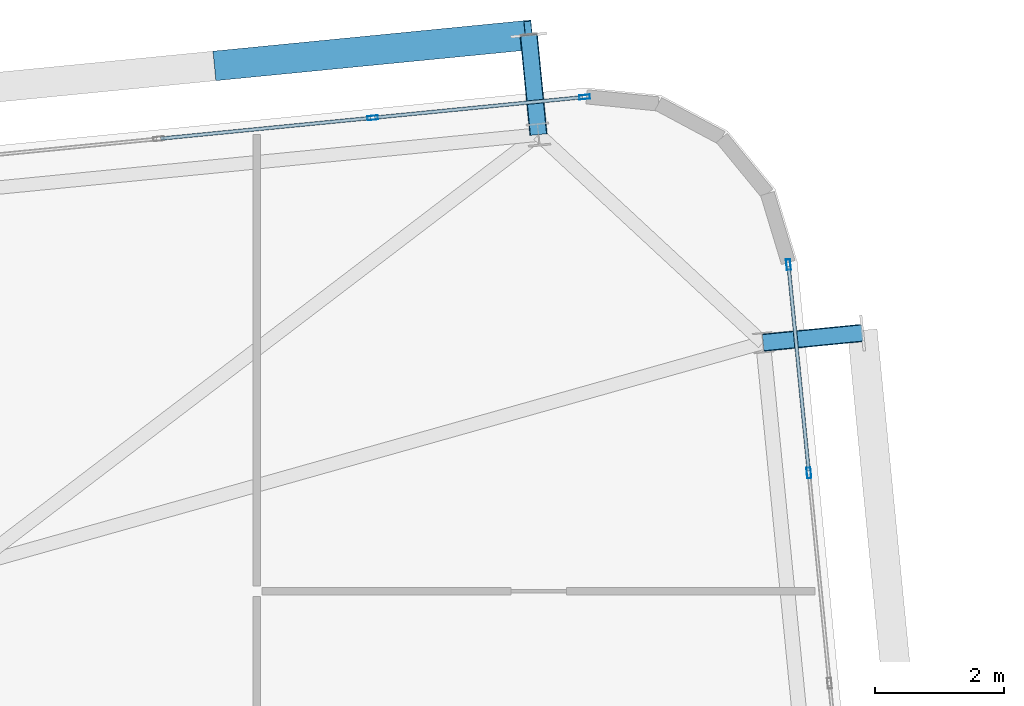
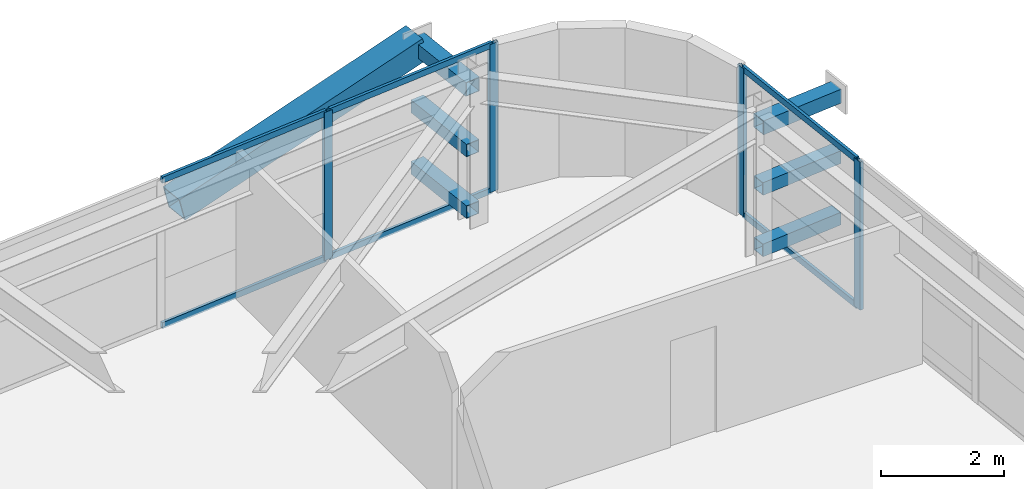
# One storey, part 35 of 52: 17 members, 2 elements without a shape of their own.
"""IFC4 building model written with IfcOpenShell, lengths in metres."""

import ifcopenshell
import ifcopenshell.guid

model = None  # the IFC model being written
_history = None  # IfcOwnerHistory: only IFC2X3 demands one
_inside = {}  # id of a spatial element -> (the spatial element, [elements in it])
_under = {}  # id of a project, library or spatial element -> (it, [spatial elements below it])
_declared = {}  # id of a project -> (the project, [libraries it declares])
_typed = {}  # id of a type object -> (the type object, [elements of that type])
_made_of = {}  # id of a material, layer set ... -> (it, [elements and type objects made of it])


def new_model(schema):
    """Start an empty IFC model of exactly this schema.

    Asked for "IFC4X3", IfcOpenShell would pick the latest addendum, in which some entities
    have other attributes; the version numbers below select the first issue.
    IFC2X3 requires an IfcOwnerHistory on every rooted entity: one is made here for all.
    """
    global model, _history
    if schema == "IFC4X3":
        model = ifcopenshell.file(schema_version=(4, 3, 0, 0))
    else:
        model = ifcopenshell.file(schema=schema)
    _inside.clear()
    _under.clear()
    _declared.clear()
    _typed.clear()
    _made_of.clear()
    _history = None
    if model.schema == "IFC2X3":
        org = make("IfcOrganization", Name="unknown")
        user = make(
            "IfcPersonAndOrganization",
            ThePerson=make("IfcPerson", FamilyName="unknown"),
            TheOrganization=org,
        )
        app = make(
            "IfcApplication",
            ApplicationDeveloper=org,
            Version="unknown",
            ApplicationFullName="unknown",
            ApplicationIdentifier="unknown",
        )
        _history = make(
            "IfcOwnerHistory",
            OwningUser=user,
            OwningApplication=app,
            ChangeAction="ADDED",
            CreationDate=0,
        )
    return model


def make(cls, **values):
    """One entity of the class cls with the attributes given. An attribute that is None is left unset."""
    return model.create_entity(
        cls, **{name: value for name, value in values.items() if value is not None}
    )


def rooted(cls, **values):
    """An entity with a GlobalId (a new one), such as an element, a storey or a relation."""
    return make(cls, GlobalId=ifcopenshell.guid.new(), OwnerHistory=_history, **values)


def si_unit(unit_type, name, prefix=None):
    """IfcSIUnit, for example si_unit("LENGTHUNIT", "METRE", prefix="MILLI")."""
    return make("IfcSIUnit", UnitType=unit_type, Prefix=prefix, Name=name)


def assignment(units):
    """IfcUnitAssignment: the units of a project."""
    return None if units is None else make("IfcUnitAssignment", Units=units)


def point(xyz):
    """IfcCartesianPoint."""
    return None if xyz is None else make("IfcCartesianPoint", Coordinates=xyz)


def direction(xyz):
    """IfcDirection."""
    return None if xyz is None else make("IfcDirection", DirectionRatios=xyz)


def frame(location, z_axis=None, x_axis=None):
    """IfcAxis2Placement3D, a coordinate frame: its origin and axes. An axis left out is left unset."""
    return make(
        "IfcAxis2Placement3D",
        Location=point(location),
        Axis=direction(z_axis),
        RefDirection=direction(x_axis),
    )


def frame_2d(location, x_axis=None):
    """IfcAxis2Placement2D, a coordinate frame in the plane: its origin and x axis."""
    return make(
        "IfcAxis2Placement2D", Location=point(location), RefDirection=direction(x_axis)
    )


def origin():
    """The frame at (0, 0, 0) with its axes left unset."""
    return frame((0.0, 0.0, 0.0))


def origin_2d():
    """The frame at (0, 0) in the plane with its x axis left unset."""
    return frame_2d((0.0, 0.0))


def place(relative_to, where):
    """IfcLocalPlacement: puts the frame where relative to a parent placement (None: the world)."""
    return make(
        "IfcLocalPlacement", PlacementRelTo=relative_to, RelativePlacement=where
    )


def context(
    kind, dimensions, precision=None, world=None, true_north=None, identifier=None
):
    """IfcGeometricRepresentationContext, for example the 3D "Model" context."""
    return make(
        "IfcGeometricRepresentationContext",
        ContextIdentifier=identifier,
        ContextType=kind,
        CoordinateSpaceDimension=dimensions,
        Precision=precision,
        WorldCoordinateSystem=world,
        TrueNorth=true_north,
    )


def subcontext(parent, identifier, kind, view, scale=None):
    """IfcGeometricRepresentationSubContext, for example "Body" below "Model"."""
    return make(
        "IfcGeometricRepresentationSubContext",
        ContextIdentifier=identifier,
        ContextType=kind,
        ParentContext=parent,
        TargetScale=scale,
        TargetView=view,
    )


def project(units=None, contexts=None):
    """IfcProject with its units and contexts."""
    return rooted(
        "IfcProject",
        Name="project",
        RepresentationContexts=contexts,
        UnitsInContext=assignment(units),
    )


def spatial(cls, under=None, at=None, **own):
    """A site, building, storey or space (cls), placed at a placement, below another one or the project."""
    s = rooted(cls, ObjectPlacement=at, **own)
    if under is not None:
        _under.setdefault(under.id(), (under, []))[1].append(s)
    return s


def profile(cls, at=None, kind="AREA", **sizes):
    """A parametric profile (cls). Its sizes go by their IFC names, for example OverallWidth=200.0."""
    return make(cls, ProfileType=kind, Position=at, **sizes)


def hollow_rectangle(**sizes):
    """IfcRectangleHollowProfileDef."""
    return profile("IfcRectangleHollowProfileDef", **sizes)


def extrude(swept, where, along, depth):
    """IfcExtrudedAreaSolid: the profile swept, set in the frame where, extruded along a direction by depth."""
    return make(
        "IfcExtrudedAreaSolid",
        SweptArea=swept,
        Position=where,
        ExtrudedDirection=direction(along),
        Depth=depth,
    )


def shape(context_of_items, identifier, shape_type, items):
    """IfcShapeRepresentation: the items that make up one representation, for example the "Body"."""
    return make(
        "IfcShapeRepresentation",
        ContextOfItems=context_of_items,
        RepresentationIdentifier=identifier,
        RepresentationType=shape_type,
        Items=items,
    )


def source(mapping_origin, context_of_items, identifier, shape_type, items):
    """IfcRepresentationMap: a shape defined once, which mapped items show again and again."""
    return make(
        "IfcRepresentationMap",
        MappingOrigin=mapping_origin,
        MappedRepresentation=shape(context_of_items, identifier, shape_type, items),
    )


def transform(
    local_origin,
    x_axis=None,
    y_axis=None,
    z_axis=None,
    scale=None,
    scale2=None,
    scale3=None,
    uniform=True,
):
    """IfcCartesianTransformationOperator3D, or its non-uniform kind. x_axis, y_axis, z_axis: its Axis1, 2, 3."""
    if uniform:
        return make(
            "IfcCartesianTransformationOperator3D",
            Axis1=direction(x_axis),
            Axis2=direction(y_axis),
            LocalOrigin=point(local_origin),
            Scale=scale,
            Axis3=direction(z_axis),
        )
    return make(
        "IfcCartesianTransformationOperator3DnonUniform",
        Axis1=direction(x_axis),
        Axis2=direction(y_axis),
        LocalOrigin=point(local_origin),
        Scale=scale,
        Axis3=direction(z_axis),
        Scale2=scale2,
        Scale3=scale3,
    )


def mapped(mapping_source, mapping_target):
    """IfcMappedItem: shows the shape of a source again, moved by a transform."""
    return make(
        "IfcMappedItem", MappingSource=mapping_source, MappingTarget=mapping_target
    )


def material(Name=None, Category=None):
    """IfcMaterial."""
    return make("IfcMaterial", Name=Name, Category=Category)


def layer(
    of_material, thickness, ventilated=None, Name=None, Category=None, Priority=None
):
    """IfcMaterialLayer: one layer of a wall or slab, of a material (None: an air gap)."""
    return make(
        "IfcMaterialLayer",
        Material=of_material,
        LayerThickness=thickness,
        IsVentilated=ventilated,
        Name=Name,
        Category=Category,
        Priority=Priority,
    )


def layer_set(layers, Name=None):
    """IfcMaterialLayerSet."""
    return make("IfcMaterialLayerSet", MaterialLayers=layers, LayerSetName=Name)


def material_profile(
    of_material, cross_section, Name=None, Category=None, Priority=None
):
    """IfcMaterialProfile: a cross section and its material."""
    return make(
        "IfcMaterialProfile",
        Name=Name,
        Material=of_material,
        Profile=cross_section,
        Priority=Priority,
        Category=Category,
    )


def profile_set(profiles, Name=None, composite=None):
    """IfcMaterialProfileSet."""
    return make(
        "IfcMaterialProfileSet",
        Name=Name,
        MaterialProfiles=profiles,
        CompositeProfile=composite,
    )


def made_of(thing, what):
    """Note that an element or type object is made of a material, layer set ...; save() writes the relation."""
    if what is not None:
        _made_of.setdefault(what.id(), (what, []))[1].append(thing)
    return thing


def type_object(cls, material=None, **own):
    """A type object (cls), such as IfcWallType, which elements share."""
    return made_of(rooted(cls, **own), material)


def element(
    cls,
    number,
    at=None,
    inside=None,
    cuts=None,
    type_object=None,
    material=None,
    context=None,
    identifier="Body",
    shape_type=None,
    held_by="IfcProductDefinitionShape",
    body=None,
    shapes=None,
    **own,
):
    """One element of the class cls, such as IfcWall. Its Tag is "e" and its number.

    at: its placement. inside: the storey or other place that contains it. cuts: it is an
    opening in that element (IfcRelVoidsElement). A single representation is given by context,
    identifier, shape_type and body (its items); several are given by shapes. held_by: the class
    of the entity that holds the representations. save() writes the other relations.
    """
    e = rooted(cls, Tag="e%d" % number, ObjectPlacement=at, **own)
    if body is not None:
        shapes = [shape(context, identifier, shape_type, body)]
    if shapes is not None:
        e.Representation = make(held_by, Representations=shapes)
    if inside is not None:
        _inside.setdefault(inside.id(), (inside, []))[1].append(e)
    if cuts is not None:
        rooted(
            "IfcRelVoidsElement", RelatingBuildingElement=cuts, RelatedOpeningElement=e
        )
    if type_object is not None:
        _typed.setdefault(type_object.id(), (type_object, []))[1].append(e)
    return made_of(e, material)


def aggregate(whole, parts):
    """IfcRelAggregates: a whole, such as a stair, and the parts it consists of."""
    return rooted("IfcRelAggregates", RelatingObject=whole, RelatedObjects=parts)


def save(model, path):
    """Write the relations noted so far, then the file.

    IfcRelAggregates (storeys below a building ...), IfcRelContainedInSpatialStructure (elements
    in a storey), IfcRelDefinesByType, IfcRelAssociatesMaterial and IfcRelDeclares: one each for
    every whole, place, type object, material and project.
    """
    for whole, parts in _under.values():
        aggregate(whole, parts)
    for where, things in _inside.values():
        rooted(
            "IfcRelContainedInSpatialStructure",
            RelatedElements=things,
            RelatingStructure=where,
        )
    for kind, things in _typed.values():
        rooted("IfcRelDefinesByType", RelatedObjects=things, RelatingType=kind)
    for what, things in _made_of.values():
        rooted("IfcRelAssociatesMaterial", RelatedObjects=things, RelatingMaterial=what)
    for by, libraries in _declared.values():
        rooted("IfcRelDeclares", RelatingContext=by, RelatedDefinitions=libraries)
    model.write(path)


model = new_model("IFC4")

# Units and contexts
model_context = context("Model", 3, precision=1e-05, world=origin(), true_north=direction((0.0, 1.0)))
body_context = subcontext(model_context, "Body", "Model", "MODEL_VIEW")
ifc_project = project(units=[si_unit("LENGTHUNIT", "METRE"), si_unit("AREAUNIT", "SQUARE_METRE"), si_unit("VOLUMEUNIT", "CUBIC_METRE"), si_unit("PLANEANGLEUNIT", "RADIAN"), si_unit("MASSUNIT", "GRAM", prefix="KILO")], contexts=[model_context])

# Site, building, storey
site_placement = place(None, origin())
site = spatial("IfcSite", under=ifc_project, at=site_placement, CompositionType="ELEMENT")
building_placement = place(site_placement, origin())
building = spatial("IfcBuilding", under=site, at=building_placement, Name="Taldren Reach Tower", CompositionType="ELEMENT")
storey_placement = place(building_placement, frame((0.0, 0.0, 93.449951171875)))
storey = spatial("IfcBuildingStorey", under=building, at=storey_placement, Name="L28", CompositionType="ELEMENT", Elevation=93.449951171875)

# Members
ifc_material_1 = material(Name="Steel Gr 450 (C450L0)", Category="steel")
ifc_material_profile_1 = material_profile(ifc_material_1, hollow_rectangle(XDim=0.27490234375, YDim=0.27490234375, WallThickness=0.00927734375, at=origin_2d()), Name="275x275x9.3SHS")
ifc_profile_set_1 = profile_set([ifc_material_profile_1], Name="Steel Gr 450 (C450L0)")
member_type_1 = type_object("IfcMemberType", Name="MB-TIE273", PredefinedType="STRUT", material=ifc_profile_set_1)
shared_shape_1 = source(origin(), body_context, "Body", "SweptSolid", [
    extrude(hollow_rectangle(XDim=0.27490234375, YDim=0.27490234375, WallThickness=0.00927734375, at=origin_2d()), origin(), (0.0, 0.0, 1.0), 1.5498046875),
])
for number, where, z_axis, x_axis, name in (
    (1, (59.765869140625, 38.679931640625, 2.650146484375), (-0.097663201064, 0.995219523099, 0.0), (-0.995219523099, -0.097663201064, 0.0), "Exoskeleton diaphragm tie strut B2-N6 L28"),
    (2, (63.247314453125, 35.454345703125, 2.650146484375), (0.995234821595, 0.097507178627, 0.0), (-0.097507178627, 0.995234821595, 0.0), "Exoskeleton diaphragm tie strut B2-E3 L28"),
):
    element("IfcMember", number, at=place(storey_placement, frame(where, z_axis=z_axis, x_axis=x_axis)), inside=storey, type_object=member_type_1, Name=name, PredefinedType="STRUT", context=body_context, shape_type="MappedRepresentation", body=[
        mapped(shared_shape_1, transform((0.0, 0.0, 0.0), scale=1.0)),
    ])
ifc_material_2 = material(Name="Steel Gr 350 (C350L0)", Category="steel")
ifc_material_profile_2 = material_profile(ifc_material_2, hollow_rectangle(XDim=0.25, YDim=0.25, WallThickness=0.010009765625, at=origin_2d()), Name="250x250x10.0SHS")
ifc_profile_set_2 = profile_set([ifc_material_profile_2], Name="Steel Gr 350 (C350L0)")
member_type_2 = type_object("IfcMemberType", Name="MB-POST250", PredefinedType="POST", material=ifc_profile_set_2)
shared_shape_2 = source(origin(), body_context, "Body", "SweptSolid", [
    extrude(hollow_rectangle(XDim=0.25, YDim=0.25, WallThickness=0.010009765625, at=origin_2d()), origin(), (0.0, 0.0, 1.0), 1.5498046875),
])
for number, where, z_axis, x_axis, name in (
    (3, (59.765869140625, 38.679931640625, 0.219970703125), (-0.097663201064, 0.995219523099, 0.0), (-0.995219523099, -0.097663201064, 0.0), "Exoskeleton base diaphragm tie strut B2-N6 L28"),
    (4, (63.247314453125, 35.454345703125, 0.219970703125), (0.995234821595, 0.097507178627, 0.0), (-0.097507178627, 0.995234821595, 0.0), "Exoskeleton base diaphragm tie strut B2-E3 L28"),
    (5, (59.765869140625, 38.679931640625, 1.43505859375), (-0.097663201064, 0.995219523099, 0.0), (-0.995219523099, -0.097663201064, 0.0), "Exoskeleton mid-tier diaphragm tie B2-N6 L28"),
    (6, (63.247314453125, 35.454345703125, 1.43505859375), (0.995234821595, 0.097507178627, 0.0), (-0.097507178627, 0.995234821595, 0.0), "Exoskeleton mid-tier diaphragm tie B2-E3 L28"),
):
    element("IfcMember", number, at=place(storey_placement, frame(where, z_axis=z_axis, x_axis=x_axis)), inside=storey, type_object=member_type_2, Name=name, PredefinedType="POST", context=body_context, shape_type="MappedRepresentation", body=[
        mapped(shared_shape_2, transform((0.0, 0.0, 0.0), scale=1.0)),
    ])
ifc_material_profile_3 = material_profile(ifc_material_1, hollow_rectangle(XDim=0.4599609375, YDim=0.4599609375, WallThickness=0.01611328125, at=origin_2d()), Name="460x460x16.0SHS")
ifc_profile_set_3 = profile_set([ifc_material_profile_3], Name="Steel Gr 450 (C450L0)")
member_type_3 = type_object("IfcMemberType", Name="MB-EXO457", PredefinedType="BRACE", material=ifc_profile_set_3)
shared_shape_3 = source(origin(), body_context, "Body", "SweptSolid", [
    extrude(hollow_rectangle(XDim=0.4599609375, YDim=0.4599609375, WallThickness=0.01611328125, at=origin_2d()), origin(), (0.0, 0.0, 1.0), 4.990234375),
])
member_1_placement = place(storey_placement, frame((54.797607421875, 39.750244140625, 1.43505859375), z_axis=(0.965275526283, 0.094619506732, 0.243496010862), x_axis=(-0.097555749586, 0.995230061706, 0.0)))
element("IfcMember", 7, at=member_1_placement, inside=storey, type_object=member_type_3, Name="Exoskeleton Diagrid Brace B2-N5 L28", PredefinedType="BRACE", context=body_context, shape_type="MappedRepresentation", body=[
    mapped(shared_shape_3, transform((0.0, 0.0, 0.0), scale=1.0)),
])

# Curtain wall, members
ifc_material_3 = material(Name="Aluminium and Low-E Glass Unitised System", Category="aluminium")
ifc_layer = layer(ifc_material_3, 0.159912109375)
ifc_layer_set = layer_set([ifc_layer], Name="Aluminium and Low-E Glass Unitised System")
curtain_wall_type = type_object("IfcCurtainWallType", Name="CW-SYS-3", PredefinedType="NOTDEFINED", material=ifc_layer_set)
curtain_wall_1_placement = place(storey_placement, origin())
curtain_wall_1 = element("IfcCurtainWall", 8, at=curtain_wall_1_placement, inside=storey, type_object=curtain_wall_type, Name="Unitised curtain wall CW-L28-N", PredefinedType="NOTDEFINED")
ifc_material_4 = material(Name="Anodised Aluminium 6063-T6", Category="aluminium")
ifc_material_profile_4 = material_profile(ifc_material_4, hollow_rectangle(XDim=0.06494140625, YDim=0.1650390625, WallThickness=0.00390625, at=origin_2d()), Name="ALU-165x65x4RHS")
ifc_profile_set_4 = profile_set([ifc_material_profile_4], Name="Anodised Aluminium 6063-T6")
member_type_4 = type_object("IfcMemberType", Name="CW-MUL-165", PredefinedType="MULLION", material=ifc_profile_set_4)
shared_shape_4 = source(origin(), body_context, "Body", "SweptSolid", [
    extrude(hollow_rectangle(XDim=0.06494140625, YDim=0.1650390625, WallThickness=0.00390625, at=origin_2d()), origin(), (0.0, 0.0, 1.0), 2.929931640625),
])
member_2_placement = place(storey_placement, frame((60.47998046875, 39.262451171875, 0.0), z_axis=(0.0, 0.0, 1.0), x_axis=(0.097582999046, -0.995227390247, 0.0)))
member_2 = element("IfcMember", 9, at=member_2_placement, type_object=member_type_4, Name="CW-3 mullion 1", PredefinedType="MULLION", context=body_context, shape_type="MappedRepresentation", body=[
    mapped(shared_shape_4, transform((0.0, 0.0, 0.0), scale=1.0)),
])
member_3_placement = place(storey_placement, frame((57.19482421875, 38.940185546875, 0.0), z_axis=(0.0, 0.0, 1.0), x_axis=(0.097582999046, -0.995227390247, 0.0)))
member_3 = element("IfcMember", 10, at=member_3_placement, type_object=member_type_4, Name="CW-3 mullion 2", PredefinedType="MULLION", context=body_context, shape_type="MappedRepresentation", body=[
    mapped(shared_shape_4, transform((0.0, 0.0, 0.0), scale=1.0)),
])

curtain_wall_2_placement = place(storey_placement, origin())
curtain_wall_2 = element("IfcCurtainWall", 11, at=curtain_wall_2_placement, inside=storey, type_object=curtain_wall_type, Name="Unitised curtain wall CW-L28-E", PredefinedType="NOTDEFINED")
member_4_placement = place(storey_placement, frame((63.95751953125, 33.43603515625, 0.0), z_axis=(0.0, 0.0, 1.0), x_axis=(-0.99522741555, -0.09758274098, 0.0)))
member_4 = element("IfcMember", 12, at=member_4_placement, type_object=member_type_4, Name="CW-3 mullion 9", PredefinedType="MULLION", context=body_context, shape_type="MappedRepresentation", body=[
    mapped(shared_shape_4, transform((0.0, 0.0, 0.0), scale=1.0)),
])
member_5_placement = place(storey_placement, frame((63.640869140625, 36.666015625, 0.0), z_axis=(0.0, 0.0, 1.0), x_axis=(-0.99522741555, -0.09758274098, 0.0)))
member_5 = element("IfcMember", 13, at=member_5_placement, type_object=member_type_4, Name="CW-3 mullion 10", PredefinedType="MULLION", context=body_context, shape_type="MappedRepresentation", body=[
    mapped(shared_shape_4, transform((0.0, 0.0, 0.0), scale=1.0)),
])

# Member
ifc_material_profile_5 = material_profile(ifc_material_4, hollow_rectangle(XDim=0.054931640625, YDim=0.1201171875, WallThickness=0.0029296875, at=origin_2d()), Name="ALU-120x55x3RHS")
ifc_profile_set_5 = profile_set([ifc_material_profile_5], Name="Anodised Aluminium 6063-T6")
member_type_5 = type_object("IfcMemberType", Name="CW-TRN-135", PredefinedType="USERDEFINED", material=ifc_profile_set_5)
shared_shape_5 = source(origin(), body_context, "Body", "SweptSolid", [
    extrude(hollow_rectangle(XDim=0.054931640625, YDim=0.1201171875, WallThickness=0.0029296875, at=origin_2d()), origin(), (0.0, 0.0, 1.0), 3.23583984375),
])
member_6_placement = place(storey_placement, frame((60.447509765625, 39.25927734375, 0.027587890625), z_axis=(-0.995222920971, -0.097628569459, 0.0), x_axis=(0.097628569459, -0.995222920971, 0.0)))
member_6 = element("IfcMember", 14, at=member_6_placement, type_object=member_type_5, Name="CW-3 transom 1.1", ObjectType="TRANSOM", PredefinedType="USERDEFINED", context=body_context, shape_type="MappedRepresentation", body=[
    mapped(shared_shape_5, transform((0.0, 0.0, 0.0), scale=1.0)),
])

member_7_placement = place(storey_placement, frame((60.447509765625, 39.25927734375, 2.902587890625), z_axis=(-0.995222920971, -0.097628569459, 0.0), x_axis=(0.097628569459, -0.995222920971, 0.0)))
member_7 = element("IfcMember", 15, at=member_7_placement, type_object=member_type_5, Name="CW-3 transom 1.2", ObjectType="TRANSOM", PredefinedType="USERDEFINED", context=body_context, shape_type="MappedRepresentation", body=[
    mapped(shared_shape_5, transform((0.0, 0.0, 0.0), scale=1.0)),
])

shared_shape_6 = source(origin(), body_context, "Body", "SweptSolid", [
    extrude(hollow_rectangle(XDim=0.054931640625, YDim=0.1201171875, WallThickness=0.0029296875, at=origin_2d()), origin(), (0.0, 0.0, 1.0), 3.2685546875),
])
member_8_placement = place(storey_placement, frame((57.16259765625, 38.93701171875, 0.027587890625), z_axis=(-0.99523051601, -0.097551114824, 0.0), x_axis=(0.097551114824, -0.99523051601, 0.0)))
member_8 = element("IfcMember", 16, at=member_8_placement, type_object=member_type_5, Name="CW-3 transom 2.1", ObjectType="TRANSOM", PredefinedType="USERDEFINED", context=body_context, shape_type="MappedRepresentation", body=[
    mapped(shared_shape_6, transform((0.0, 0.0, 0.0), scale=1.0)),
])

member_9_placement = place(storey_placement, frame((57.16259765625, 38.93701171875, 2.902587890625), z_axis=(-0.99523051601, -0.097551114824, 0.0), x_axis=(0.097551114824, -0.99523051601, 0.0)))
member_9 = element("IfcMember", 17, at=member_9_placement, type_object=member_type_5, Name="CW-3 transom 2.2", ObjectType="TRANSOM", PredefinedType="USERDEFINED", context=body_context, shape_type="MappedRepresentation", body=[
    mapped(shared_shape_6, transform((0.0, 0.0, 0.0), scale=1.0)),
])

aggregate(curtain_wall_1, [member_2, member_3, member_6, member_7, member_8, member_9])

shared_shape_7 = source(origin(), body_context, "Body", "SweptSolid", [
    extrude(hollow_rectangle(XDim=0.054931640625, YDim=0.1201171875, WallThickness=0.0029296875, at=origin_2d()), origin(), (0.0, 0.0, 1.0), 3.18017578125),
])
member_10_placement = place(storey_placement, frame((63.954345703125, 33.468505859375, 0.027587890625), z_axis=(-0.097572914968, 0.995228378949, 0.0), x_axis=(-0.995228378949, -0.097572914968, 0.0)))
member_10 = element("IfcMember", 18, at=member_10_placement, type_object=member_type_5, Name="CW-3 transom 9.1", ObjectType="TRANSOM", PredefinedType="USERDEFINED", context=body_context, shape_type="MappedRepresentation", body=[
    mapped(shared_shape_7, transform((0.0, 0.0, 0.0), scale=1.0)),
])

member_11_placement = place(storey_placement, frame((63.954345703125, 33.468505859375, 2.902587890625), z_axis=(-0.097572914968, 0.995228378949, 0.0), x_axis=(-0.995228378949, -0.097572914968, 0.0)))
member_11 = element("IfcMember", 19, at=member_11_placement, type_object=member_type_5, Name="CW-3 transom 9.2", ObjectType="TRANSOM", PredefinedType="USERDEFINED", context=body_context, shape_type="MappedRepresentation", body=[
    mapped(shared_shape_7, transform((0.0, 0.0, 0.0), scale=1.0)),
])

aggregate(curtain_wall_2, [member_4, member_5, member_10, member_11])

save(model, "model.ifc")
